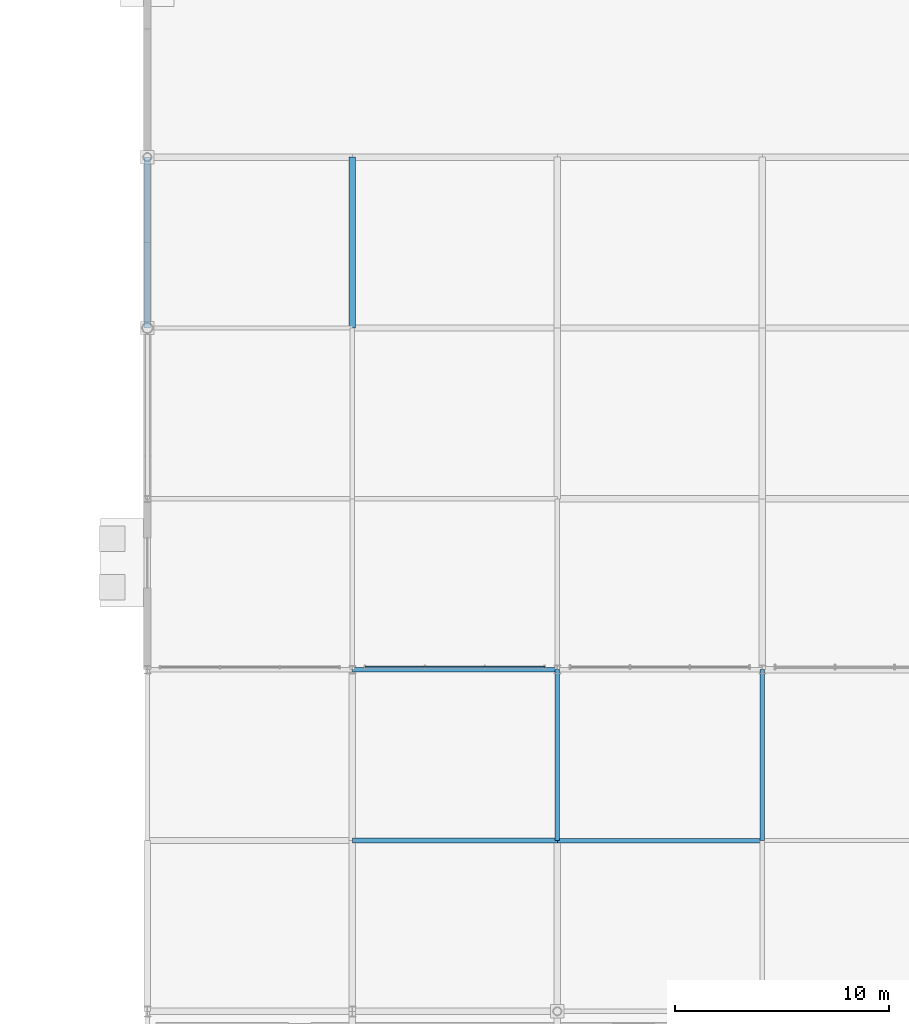
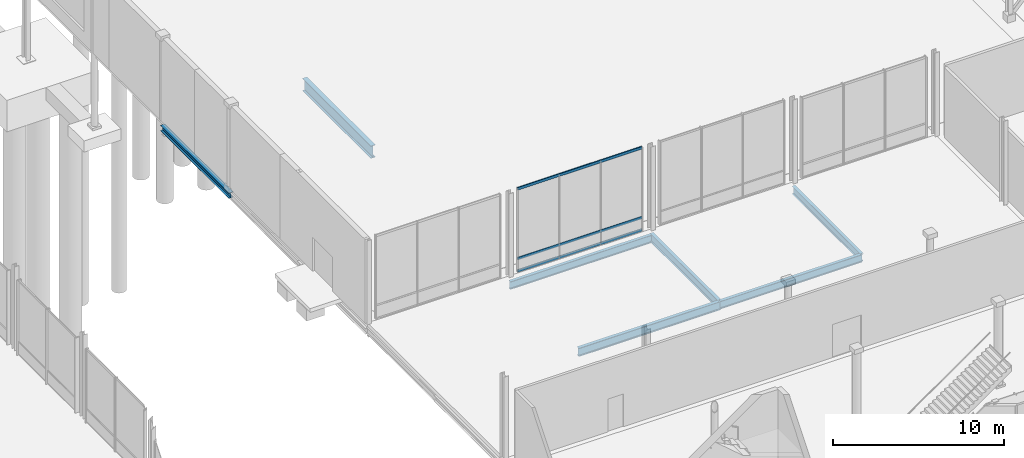
# One storey, part 56 of 124: 7 beams, 3 members, 1 element without a shape of its own.
"""IFC4 building model written with IfcOpenShell, lengths in metres."""

from ifc_helpers import new_model, si_unit, direction, frame, origin, origin_2d, place, context, subcontext, project, spatial, rectangle, i_section, extrude, material, material_profile, profile_set, type_object, element, aggregate, save


model = new_model("IFC4")

# Units and contexts
model_context = context("Model", 3, precision=1e-05, world=origin(), true_north=direction((0.0, 1.0)))
body_context = subcontext(model_context, "Body", "Model", "MODEL_VIEW")
ifc_project = project(units=[si_unit("LENGTHUNIT", "METRE"), si_unit("AREAUNIT", "SQUARE_METRE"), si_unit("VOLUMEUNIT", "CUBIC_METRE"), si_unit("PLANEANGLEUNIT", "RADIAN"), si_unit("MASSUNIT", "GRAM", prefix="KILO")], contexts=[model_context])

# Site, building, storey
site_placement = place(None, origin())
site = spatial("IfcSite", under=ifc_project, at=site_placement, CompositionType="ELEMENT")
building_placement = place(site_placement, origin())
building = spatial("IfcBuilding", under=site, at=building_placement, Name="Danafjord Basin Convention Centre", CompositionType="ELEMENT")
storey_placement = place(building_placement, origin())
storey = spatial("IfcBuildingStorey", under=building, at=storey_placement, Name="L00", CompositionType="ELEMENT", Elevation=0.0)

# Beams
ifc_material_1 = material(Name="Steel S355", Category="steel")
ifc_material_profile_1 = material_profile(ifc_material_1, i_section(OverallWidth=0.300048828125, OverallDepth=0.89990234375, WebThickness=0.0185546875, FlangeThickness=0.034912109375, FilletRadius=0.030029296875, at=origin_2d()), Name="HEB 900")
ifc_profile_set_1 = profile_set([ifc_material_profile_1], Name="Steel S355")
beam_type_1 = type_object("IfcBeamType", Name="BEAM-BM-HEB900", PredefinedType="BEAM", material=ifc_profile_set_1)
beam_1_placement = place(storey_placement, frame((153.60009765625, 56.0, -0.830078125), z_axis=(0.0, 1.0, 0.0), x_axis=(-1.0, 0.0, 0.0)))
element("IfcBeam", 1, at=beam_1_placement, inside=storey, type_object=beam_type_1, Name="L00 transverse girder BM-HEB900", PredefinedType="BEAM", context=body_context, shape_type="SweptSolid", body=[
    extrude(i_section(OverallWidth=0.300048828125, OverallDepth=0.89990234375, WebThickness=0.0185546875, FlangeThickness=0.034912109375, FilletRadius=0.030029296875, at=origin_2d()), origin(), (0.0, 0.0, 1.0), 8.0),
])
ifc_material_profile_2 = material_profile(ifc_material_1, i_section(OverallWidth=0.2099609375, OverallDepth=0.550048828125, WebThickness=0.010986328125, FlangeThickness=0.01708984375, FilletRadius=0.02392578125, at=origin_2d()), Name="IPE 550")
ifc_profile_set_2 = profile_set([ifc_material_profile_2], Name="Steel S355")
beam_type_2 = type_object("IfcBeamType", Name="BEAM-BM-IPE550", PredefinedType="BEAM", material=ifc_profile_set_2)
beam_2_placement = place(storey_placement, frame((153.60009765625, 40.0, -0.655029296875), z_axis=(1.0, 0.0, 0.0), x_axis=(0.0, 1.0, 0.0)))
element("IfcBeam", 2, at=beam_2_placement, inside=storey, type_object=beam_type_2, Name="L00 girder BM-IPE550", PredefinedType="BEAM", context=body_context, shape_type="SweptSolid", body=[
    extrude(i_section(OverallWidth=0.2099609375, OverallDepth=0.550048828125, WebThickness=0.010986328125, FlangeThickness=0.01708984375, FilletRadius=0.02392578125, at=origin_2d()), origin(), (0.0, 0.0, 1.0), 9.599853515625),
])
beam_3_placement = place(storey_placement, frame((163.199951171875, 32.0, -0.554931640625), z_axis=(1.0, 0.0, 0.0), x_axis=(0.0, 1.0, 0.0)))
element("IfcBeam", 3, at=beam_3_placement, inside=storey, type_object=beam_type_2, Name="L00 girder BM-IPE550", PredefinedType="BEAM", context=body_context, shape_type="SweptSolid", body=[
    extrude(i_section(OverallWidth=0.2099609375, OverallDepth=0.550048828125, WebThickness=0.010986328125, FlangeThickness=0.01708984375, FilletRadius=0.02392578125, at=origin_2d()), origin(), (0.0, 0.0, 1.0), 9.60009765625),
])
beam_4_placement = place(storey_placement, frame((172.800048828125, 32.0, -0.554931640625), z_axis=(0.0, 1.0, 0.0), x_axis=(-1.0, 0.0, 0.0)))
element("IfcBeam", 4, at=beam_4_placement, inside=storey, type_object=beam_type_2, Name="L00 transverse girder BM-IPE550", PredefinedType="BEAM", context=body_context, shape_type="SweptSolid", body=[
    extrude(i_section(OverallWidth=0.2099609375, OverallDepth=0.550048828125, WebThickness=0.010986328125, FlangeThickness=0.01708984375, FilletRadius=0.02392578125, at=origin_2d()), origin(), (0.0, 0.0, 1.0), 8.0),
])
ifc_material_profile_3 = material_profile(ifc_material_1, i_section(OverallWidth=0.219970703125, OverallDepth=0.60009765625, WebThickness=0.011962890625, FlangeThickness=0.01904296875, FilletRadius=0.02392578125, at=origin_2d()), Name="IPE 600")
ifc_profile_set_3 = profile_set([ifc_material_profile_3], Name="Steel S355")
beam_type_3 = type_object("IfcBeamType", Name="BEAM-BM-IPE600", PredefinedType="BEAM", material=ifc_profile_set_3)
beam_5_placement = place(storey_placement, frame((153.60009765625, 32.0, -0.580078125), z_axis=(1.0, 0.0, 0.0), x_axis=(0.0, 1.0, 0.0)))
element("IfcBeam", 5, at=beam_5_placement, inside=storey, type_object=beam_type_3, Name="L00 girder BM-IPE600", PredefinedType="BEAM", context=body_context, shape_type="SweptSolid", body=[
    extrude(i_section(OverallWidth=0.219970703125, OverallDepth=0.60009765625, WebThickness=0.011962890625, FlangeThickness=0.01904296875, FilletRadius=0.02392578125, at=origin_2d()), origin(), (0.0, 0.0, 1.0), 9.599853515625),
])
beam_6_placement = place(storey_placement, frame((163.199951171875, 32.0, -0.580078125), z_axis=(0.0, 1.0, 0.0), x_axis=(-1.0, 0.0, 0.0)))
element("IfcBeam", 6, at=beam_6_placement, inside=storey, type_object=beam_type_3, Name="L00 transverse girder BM-IPE600", PredefinedType="BEAM", context=body_context, shape_type="SweptSolid", body=[
    extrude(i_section(OverallWidth=0.219970703125, OverallDepth=0.60009765625, WebThickness=0.011962890625, FlangeThickness=0.01904296875, FilletRadius=0.02392578125, at=origin_2d()), origin(), (0.0, 0.0, 1.0), 8.0),
])
ifc_material_profile_4 = material_profile(ifc_material_1, i_section(OverallWidth=0.300048828125, OverallDepth=0.39990234375, WebThickness=0.013427734375, FlangeThickness=0.02392578125, FilletRadius=0.027099609375, at=origin_2d()), Name="HEB 400")
ifc_profile_set_4 = profile_set([ifc_material_profile_4], Name="Steel S355")
beam_type_4 = type_object("IfcBeamType", Name="BEAM-SP-HEB400", PredefinedType="SPANDREL", material=ifc_profile_set_4)
beam_7_placement = place(storey_placement, frame((144.0, 56.0, -0.580078125), z_axis=(0.0, 1.0, 0.0), x_axis=(-1.0, 0.0, 0.0)))
element("IfcBeam", 7, at=beam_7_placement, inside=storey, type_object=beam_type_4, Name="L00 transverse girder SP-HEB400", PredefinedType="SPANDREL", context=body_context, shape_type="SweptSolid", body=[
    extrude(i_section(OverallWidth=0.300048828125, OverallDepth=0.39990234375, WebThickness=0.013427734375, FlangeThickness=0.02392578125, FilletRadius=0.027099609375, at=origin_2d()), origin(), (0.0, 0.0, 1.0), 8.0),
])

# Curtain wall, members
ifc_material_2 = material(Name="Anodised aluminium and triple glazing", Category="aluminium")
curtain_wall_type = type_object("IfcCurtainWallType", Name="CW-CW-HARB", PredefinedType="NOTDEFINED", material=ifc_material_2)
curtain_wall_placement = place(storey_placement, origin())
curtain_wall = element("IfcCurtainWall", 8, at=curtain_wall_placement, inside=storey, type_object=curtain_wall_type, Name="L00 CW-HARB unitised curtain wall bay 131", PredefinedType="NOTDEFINED")
ifc_material_3 = material(Name="Anodised aluminium EN AW-6060", Category="aluminium")
ifc_material_profile_5 = material_profile(ifc_material_3, rectangle(XDim=0.06494140625, YDim=0.18994140625, at=origin_2d()), Name="TRAN 65x190")
ifc_profile_set_5 = profile_set([ifc_material_profile_5], Name="Anodised aluminium EN AW-6060")
member_type = type_object("IfcMemberType", Name="MEM-TR-190", PredefinedType="USERDEFINED", material=ifc_profile_set_5)
member_1_placement = place(storey_placement, frame((154.199951171875, 40.1201171875, 0.06005859375), z_axis=(1.0, 0.0, 0.0), x_axis=(0.0, 1.0, 0.0)))
member_1 = element("IfcMember", 9, at=member_1_placement, type_object=member_type, Name="CW-L00-131 transom 1", ObjectType="TRANSOM", PredefinedType="USERDEFINED", context=body_context, shape_type="SweptSolid", body=[
    extrude(rectangle(XDim=0.06494140625, YDim=0.18994140625, at=origin_2d()), origin(), (0.0, 0.0, 1.0), 8.400146484375),
])
member_2_placement = place(storey_placement, frame((154.199951171875, 40.1201171875, 0.949951171875), z_axis=(1.0, 0.0, 0.0), x_axis=(0.0, 1.0, 0.0)))
member_2 = element("IfcMember", 10, at=member_2_placement, type_object=member_type, Name="CW-L00-131 transom 2", ObjectType="TRANSOM", PredefinedType="USERDEFINED", context=body_context, shape_type="SweptSolid", body=[
    extrude(rectangle(XDim=0.06494140625, YDim=0.18994140625, at=origin_2d()), origin(), (0.0, 0.0, 1.0), 8.400146484375),
])
member_3_placement = place(storey_placement, frame((154.199951171875, 40.1201171875, 5.93994140625), z_axis=(1.0, 0.0, 0.0), x_axis=(0.0, 1.0, 0.0)))
member_3 = element("IfcMember", 11, at=member_3_placement, type_object=member_type, Name="CW-L00-131 transom 3", ObjectType="TRANSOM", PredefinedType="USERDEFINED", context=body_context, shape_type="SweptSolid", body=[
    extrude(rectangle(XDim=0.06494140625, YDim=0.18994140625, at=origin_2d()), origin(), (0.0, 0.0, 1.0), 8.400146484375),
])
aggregate(curtain_wall, [member_1, member_2, member_3])

save(model, "model.ifc")
